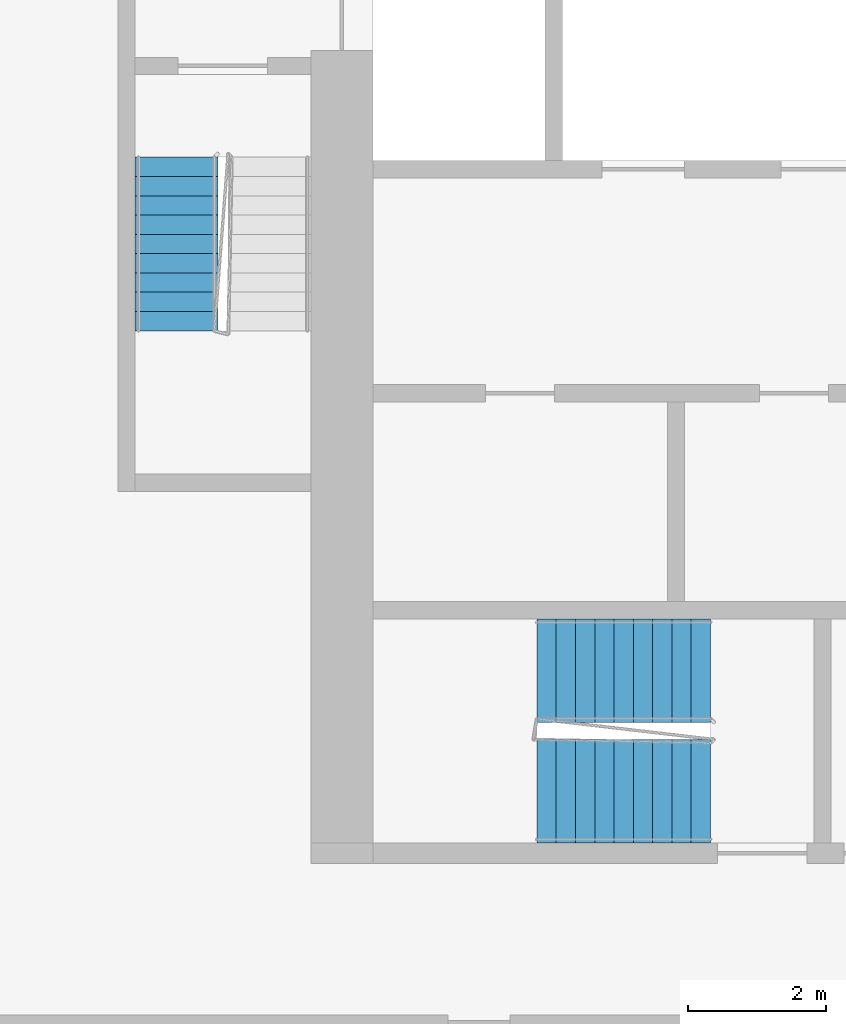
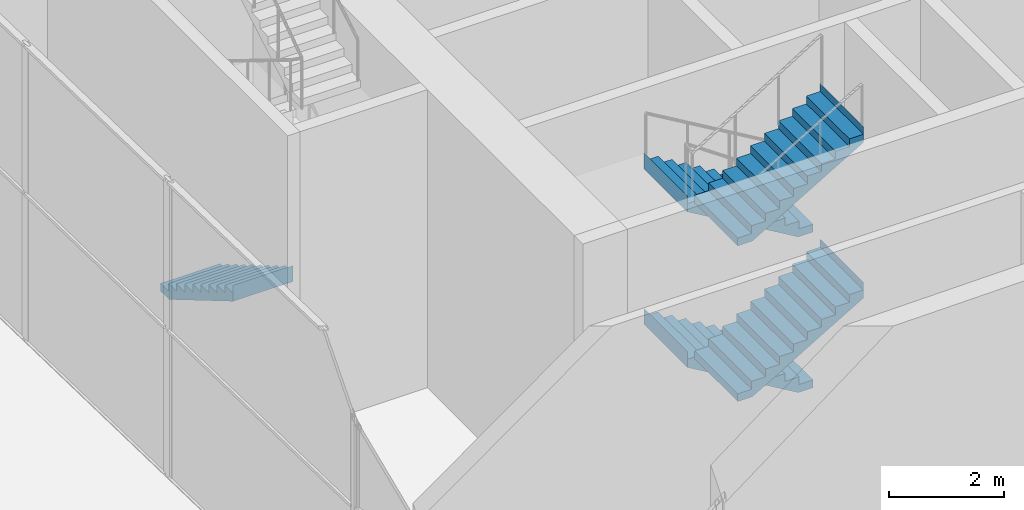
# One storey, part 16 of 24: 5 stair flights, 2 elements without a shape of their own.
"""IFC4 building model written with IfcOpenShell, lengths in metres."""

from ifc_helpers import new_model, si_unit, direction, frame, origin, place, context, subcontext, project, spatial, faceted_brep, material, type_object, element, aggregate, save


model = new_model("IFC4")

# Units and contexts
model_context = context("Model", 3, precision=1e-05, world=origin(), true_north=direction((0.0, 1.0)))
body_context = subcontext(model_context, "Body", "Model", "MODEL_VIEW")
ifc_project = project(units=[si_unit("LENGTHUNIT", "METRE"), si_unit("AREAUNIT", "SQUARE_METRE"), si_unit("VOLUMEUNIT", "CUBIC_METRE"), si_unit("PLANEANGLEUNIT", "RADIAN"), si_unit("MASSUNIT", "GRAM", prefix="KILO")], contexts=[model_context])

# Site, building, storey
site_placement = place(None, origin())
site = spatial("IfcSite", under=ifc_project, at=site_placement, CompositionType="ELEMENT")
building_placement = place(site_placement, origin())
building = spatial("IfcBuilding", under=site, at=building_placement, Name="Kajstack Hotel Tower", CompositionType="ELEMENT")
storey_placement = place(building_placement, frame((0.0, 0.0, 211.10009765625)))
storey = spatial("IfcBuildingStorey", under=building, at=storey_placement, Name="L51", CompositionType="ELEMENT", Elevation=211.10009765625)

# Stair, stair flight
ifc_material = material(Name="Concrete C40/50", Category="concrete")
stair_type_1 = type_object("IfcStairType", Name="Exit stair 1200", PredefinedType="HALF_TURN_STAIR", material=ifc_material)
stair_1_placement = place(storey_placement, origin())
stair_1 = element("IfcStair", 1, at=stair_1_placement, inside=storey, type_object=stair_type_1, Name="L51 stair W1", PredefinedType="HALF_TURN_STAIR")
stair_flight_type_1 = type_object("IfcStairFlightType", Name="Exit stair flight 1200", PredefinedType="STRAIGHT", material=ifc_material)
stair_flight_1_placement = place(storey_placement, frame((-33.449951171875, -5.25, 0.0), z_axis=(0.0, 0.0, 1.0), x_axis=(0.0, -1.0, 0.0)))
stair_flight_1 = element("IfcStairFlight", 2, at=stair_flight_1_placement, type_object=stair_flight_type_1, Name="W1 flight 1", NumberOfRisers=10, NumberOfTreads=9, PredefinedType="STRAIGHT", RiserHeight=0.165, TreadLength=0.28, context=body_context, shape_type="Brep", body=[
    faceted_brep([(0.295654296875, -0.60009765625, 0.0), (2.5205078125, -0.60009765625, 1.31103515625), (2.5205078125, -0.60009765625, 1.64990234375), (2.52001953125, -0.60009765625, 1.64990234375), (2.52001953125, -0.60009765625, 1.485107421875), (2.239990234375, -0.60009765625, 1.485107421875), (2.239990234375, -0.60009765625, 1.320068359375), (1.9599609375, -0.60009765625, 1.320068359375), (1.9599609375, -0.60009765625, 1.155029296875), (1.679931640625, -0.60009765625, 1.155029296875), (1.679931640625, -0.60009765625, 0.989990234375), (1.39990234375, -0.60009765625, 0.989990234375), (1.39990234375, -0.60009765625, 0.824951171875), (1.1201171875, -0.60009765625, 0.824951171875), (1.1201171875, -0.60009765625, 0.659912109375), (0.840087890625, -0.60009765625, 0.659912109375), (0.840087890625, -0.60009765625, 0.4951171875), (0.56005859375, -0.60009765625, 0.4951171875), (0.56005859375, -0.60009765625, 0.330078125), (0.280029296875, -0.60009765625, 0.330078125), (0.280029296875, -0.60009765625, 0.1650390625), (-0.00048828125, -0.60009765625, 0.1650390625), (-0.00048828125, -0.60009765625, 0.0), (-0.00048828125, 0.60009765625, 0.0), (-0.00048828125, 0.60009765625, 0.1650390625), (0.280029296875, 0.60009765625, 0.1650390625), (0.280029296875, 0.60009765625, 0.330078125), (0.56005859375, 0.60009765625, 0.330078125), (0.56005859375, 0.60009765625, 0.4951171875), (0.840087890625, 0.60009765625, 0.4951171875), (0.840087890625, 0.60009765625, 0.659912109375), (1.1201171875, 0.60009765625, 0.659912109375), (1.1201171875, 0.60009765625, 0.824951171875), (1.39990234375, 0.60009765625, 0.824951171875), (1.39990234375, 0.60009765625, 0.989990234375), (1.679931640625, 0.60009765625, 0.989990234375), (1.679931640625, 0.60009765625, 1.155029296875), (1.9599609375, 0.60009765625, 1.155029296875), (1.9599609375, 0.60009765625, 1.320068359375), (2.239990234375, 0.60009765625, 1.320068359375), (2.239990234375, 0.60009765625, 1.485107421875), (2.52001953125, 0.60009765625, 1.485107421875), (2.52001953125, 0.60009765625, 1.64990234375), (2.5205078125, 0.60009765625, 1.64990234375), (2.5205078125, 0.60009765625, 1.31103515625), (0.295654296875, 0.60009765625, 0.0), (-0.00048828125, -0.300048828125, 0.1650390625), (-0.00048828125, 0.0, 0.1650390625), (-0.00048828125, 0.300048828125, 0.1650390625), (-0.00048828125, 0.300048828125, 0.0), (-0.00048828125, 0.0, 0.0), (-0.00048828125, -0.300048828125, 0.0), (0.280029296875, -0.300048828125, 0.1650390625), (0.280029296875, 0.0, 0.1650390625), (0.280029296875, 0.300048828125, 0.1650390625), (0.280029296875, -0.300048828125, 0.330078125), (0.280029296875, 0.0, 0.330078125), (0.280029296875, 0.300048828125, 0.330078125), (0.56005859375, -0.300048828125, 0.330078125), (0.56005859375, 0.0, 0.330078125), (0.56005859375, 0.300048828125, 0.330078125), (0.56005859375, -0.300048828125, 0.4951171875), (0.56005859375, 0.0, 0.4951171875), (0.56005859375, 0.300048828125, 0.4951171875), (0.840087890625, -0.300048828125, 0.4951171875), (0.840087890625, 0.0, 0.4951171875), (0.840087890625, 0.300048828125, 0.4951171875), (0.840087890625, -0.300048828125, 0.659912109375), (0.840087890625, 0.0, 0.659912109375), (0.840087890625, 0.300048828125, 0.659912109375), (1.1201171875, -0.300048828125, 0.659912109375), (1.1201171875, 0.0, 0.659912109375), (1.1201171875, 0.300048828125, 0.659912109375), (1.1201171875, -0.300048828125, 0.824951171875), (1.1201171875, 0.0, 0.824951171875), (1.1201171875, 0.300048828125, 0.824951171875), (1.39990234375, -0.300048828125, 0.824951171875), (1.39990234375, 0.0, 0.824951171875), (1.39990234375, 0.300048828125, 0.824951171875), (1.39990234375, -0.300048828125, 0.989990234375), (1.39990234375, 0.0, 0.989990234375), (1.39990234375, 0.300048828125, 0.989990234375), (1.679931640625, -0.300048828125, 0.989990234375), (1.679931640625, 0.0, 0.989990234375), (1.679931640625, 0.300048828125, 0.989990234375), (1.679931640625, -0.300048828125, 1.155029296875), (1.679931640625, 0.0, 1.155029296875), (1.679931640625, 0.300048828125, 1.155029296875), (1.9599609375, -0.300048828125, 1.155029296875), (1.9599609375, 0.0, 1.155029296875), (1.9599609375, 0.300048828125, 1.155029296875), (1.9599609375, -0.300048828125, 1.320068359375), (1.9599609375, 0.0, 1.320068359375), (1.9599609375, 0.300048828125, 1.320068359375), (2.239990234375, -0.300048828125, 1.320068359375), (2.239990234375, 0.0, 1.320068359375), (2.239990234375, 0.300048828125, 1.320068359375), (2.239990234375, -0.300048828125, 1.485107421875), (2.239990234375, 0.0, 1.485107421875), (2.239990234375, 0.300048828125, 1.485107421875), (2.52001953125, -0.300048828125, 1.485107421875), (2.52001953125, 0.0, 1.485107421875), (2.52001953125, 0.300048828125, 1.485107421875), (2.52001953125, -0.300048828125, 1.64990234375), (2.52001953125, 0.0, 1.64990234375), (2.52001953125, 0.300048828125, 1.64990234375), (2.5205078125, -0.300048828125, 1.64990234375), (2.5205078125, 0.0, 1.64990234375), (2.5205078125, 0.300048828125, 1.64990234375), (2.5205078125, -0.300048828125, 1.31103515625), (2.5205078125, 0.0, 1.31103515625), (2.5205078125, 0.300048828125, 1.31103515625), (0.295654296875, -0.300048828125, 0.0), (0.295654296875, 0.0, 0.0), (0.295654296875, 0.300048828125, 0.0)], [[[0, 1, 2, 3, 4, 5, 6, 7, 8, 9, 10, 11, 12, 13, 14, 15, 16, 17, 18, 19, 20, 21, 22]], [[23, 24, 25, 26, 27, 28, 29, 30, 31, 32, 33, 34, 35, 36, 37, 38, 39, 40, 41, 42, 43, 44, 45]], [[21, 46, 47, 48, 24, 23, 49, 50, 51, 22]], [[20, 52, 53, 54, 25, 24, 48, 47, 46, 21]], [[19, 55, 56, 57, 26, 25, 54, 53, 52, 20]], [[18, 58, 59, 60, 27, 26, 57, 56, 55, 19]], [[17, 61, 62, 63, 28, 27, 60, 59, 58, 18]], [[16, 64, 65, 66, 29, 28, 63, 62, 61, 17]], [[15, 67, 68, 69, 30, 29, 66, 65, 64, 16]], [[14, 70, 71, 72, 31, 30, 69, 68, 67, 15]], [[13, 73, 74, 75, 32, 31, 72, 71, 70, 14]], [[12, 76, 77, 78, 33, 32, 75, 74, 73, 13]], [[11, 79, 80, 81, 34, 33, 78, 77, 76, 12]], [[10, 82, 83, 84, 35, 34, 81, 80, 79, 11]], [[9, 85, 86, 87, 36, 35, 84, 83, 82, 10]], [[8, 88, 89, 90, 37, 36, 87, 86, 85, 9]], [[7, 91, 92, 93, 38, 37, 90, 89, 88, 8]], [[6, 94, 95, 96, 39, 38, 93, 92, 91, 7]], [[5, 97, 98, 99, 40, 39, 96, 95, 94, 6]], [[4, 100, 101, 102, 41, 40, 99, 98, 97, 5]], [[3, 103, 104, 105, 42, 41, 102, 101, 100, 4]], [[2, 106, 107, 108, 43, 42, 105, 104, 103, 3]], [[1, 109, 110, 111, 44, 43, 108, 107, 106, 2]], [[0, 112, 113, 114, 45, 44, 111, 110, 109, 1]], [[22, 51, 50, 49, 23, 45, 114, 113, 112, 0]]]),
])
aggregate(stair_1, [stair_flight_1])

# Stair, stair flights
stair_type_2 = type_object("IfcStairType", Name="Exit stair 1500", PredefinedType="HALF_TURN_STAIR", material=ifc_material)
stair_2_placement = place(storey_placement, origin())
stair_2 = element("IfcStair", 3, at=stair_2_placement, inside=storey, type_object=stair_type_2, Name="L51 stair W3", PredefinedType="HALF_TURN_STAIR")
stair_flight_type_2 = type_object("IfcStairFlightType", Name="Exit stair flight 1500", PredefinedType="STRAIGHT", material=ifc_material)
stair_flight_2_placement = place(storey_placement, frame((-25.699951171875, -12.699951171875, 0.0), z_axis=(0.0, 0.0, 1.0), x_axis=(-1.0, 0.0, 0.0)))
stair_flight_2 = element("IfcStairFlight", 4, at=stair_flight_2_placement, type_object=stair_flight_type_2, Name="W3 flight 1", NumberOfRisers=10, NumberOfTreads=9, PredefinedType="STRAIGHT", RiserHeight=0.165, TreadLength=0.28, context=body_context, shape_type="Brep", body=[
    faceted_brep([(0.295654296875, -0.75, 0.0), (2.5205078125, -0.75, 1.31103515625), (2.5205078125, -0.75, 1.64990234375), (2.52001953125, -0.75, 1.64990234375), (2.52001953125, -0.75, 1.485107421875), (2.239990234375, -0.75, 1.485107421875), (2.239990234375, -0.75, 1.320068359375), (1.9599609375, -0.75, 1.320068359375), (1.9599609375, -0.75, 1.155029296875), (1.679931640625, -0.75, 1.155029296875), (1.679931640625, -0.75, 0.989990234375), (1.39990234375, -0.75, 0.989990234375), (1.39990234375, -0.75, 0.824951171875), (1.1201171875, -0.75, 0.824951171875), (1.1201171875, -0.75, 0.659912109375), (0.840087890625, -0.75, 0.659912109375), (0.840087890625, -0.75, 0.4951171875), (0.56005859375, -0.75, 0.4951171875), (0.56005859375, -0.75, 0.330078125), (0.280029296875, -0.75, 0.330078125), (0.280029296875, -0.75, 0.1650390625), (-0.00048828125, -0.75, 0.1650390625), (-0.00048828125, -0.75, 0.0), (-0.00048828125, 0.75, 0.0), (-0.00048828125, 0.75, 0.1650390625), (0.280029296875, 0.75, 0.1650390625), (0.280029296875, 0.75, 0.330078125), (0.56005859375, 0.75, 0.330078125), (0.56005859375, 0.75, 0.4951171875), (0.840087890625, 0.75, 0.4951171875), (0.840087890625, 0.75, 0.659912109375), (1.1201171875, 0.75, 0.659912109375), (1.1201171875, 0.75, 0.824951171875), (1.39990234375, 0.75, 0.824951171875), (1.39990234375, 0.75, 0.989990234375), (1.679931640625, 0.75, 0.989990234375), (1.679931640625, 0.75, 1.155029296875), (1.9599609375, 0.75, 1.155029296875), (1.9599609375, 0.75, 1.320068359375), (2.239990234375, 0.75, 1.320068359375), (2.239990234375, 0.75, 1.485107421875), (2.52001953125, 0.75, 1.485107421875), (2.52001953125, 0.75, 1.64990234375), (2.5205078125, 0.75, 1.64990234375), (2.5205078125, 0.75, 1.31103515625), (0.295654296875, 0.75, 0.0), (-0.00048828125, -0.375, 0.1650390625), (-0.00048828125, 0.0, 0.1650390625), (-0.00048828125, 0.375, 0.1650390625), (-0.00048828125, 0.375, 0.0), (-0.00048828125, 0.0, 0.0), (-0.00048828125, -0.375, 0.0), (0.280029296875, -0.375, 0.1650390625), (0.280029296875, 0.0, 0.1650390625), (0.280029296875, 0.375, 0.1650390625), (0.280029296875, -0.375, 0.330078125), (0.280029296875, 0.0, 0.330078125), (0.280029296875, 0.375, 0.330078125), (0.56005859375, -0.375, 0.330078125), (0.56005859375, 0.0, 0.330078125), (0.56005859375, 0.375, 0.330078125), (0.56005859375, -0.375, 0.4951171875), (0.56005859375, 0.0, 0.4951171875), (0.56005859375, 0.375, 0.4951171875), (0.840087890625, -0.375, 0.4951171875), (0.840087890625, 0.0, 0.4951171875), (0.840087890625, 0.375, 0.4951171875), (0.840087890625, -0.375, 0.659912109375), (0.840087890625, 0.0, 0.659912109375), (0.840087890625, 0.375, 0.659912109375), (1.1201171875, -0.375, 0.659912109375), (1.1201171875, 0.0, 0.659912109375), (1.1201171875, 0.375, 0.659912109375), (1.1201171875, -0.375, 0.824951171875), (1.1201171875, 0.0, 0.824951171875), (1.1201171875, 0.375, 0.824951171875), (1.39990234375, -0.375, 0.824951171875), (1.39990234375, 0.0, 0.824951171875), (1.39990234375, 0.375, 0.824951171875), (1.39990234375, -0.375, 0.989990234375), (1.39990234375, 0.0, 0.989990234375), (1.39990234375, 0.375, 0.989990234375), (1.679931640625, -0.375, 0.989990234375), (1.679931640625, 0.0, 0.989990234375), (1.679931640625, 0.375, 0.989990234375), (1.679931640625, -0.375, 1.155029296875), (1.679931640625, 0.0, 1.155029296875), (1.679931640625, 0.375, 1.155029296875), (1.9599609375, -0.375, 1.155029296875), (1.9599609375, 0.0, 1.155029296875), (1.9599609375, 0.375, 1.155029296875), (1.9599609375, -0.375, 1.320068359375), (1.9599609375, 0.0, 1.320068359375), (1.9599609375, 0.375, 1.320068359375), (2.239990234375, -0.375, 1.320068359375), (2.239990234375, 0.0, 1.320068359375), (2.239990234375, 0.375, 1.320068359375), (2.239990234375, -0.375, 1.485107421875), (2.239990234375, 0.0, 1.485107421875), (2.239990234375, 0.375, 1.485107421875), (2.52001953125, -0.375, 1.485107421875), (2.52001953125, 0.0, 1.485107421875), (2.52001953125, 0.375, 1.485107421875), (2.52001953125, -0.375, 1.64990234375), (2.52001953125, 0.0, 1.64990234375), (2.52001953125, 0.375, 1.64990234375), (2.5205078125, -0.375, 1.64990234375), (2.5205078125, 0.0, 1.64990234375), (2.5205078125, 0.375, 1.64990234375), (2.5205078125, -0.375, 1.31103515625), (2.5205078125, 0.0, 1.31103515625), (2.5205078125, 0.375, 1.31103515625), (0.295654296875, -0.375, 0.0), (0.295654296875, 0.0, 0.0), (0.295654296875, 0.375, 0.0)], [[[0, 1, 2, 3, 4, 5, 6, 7, 8, 9, 10, 11, 12, 13, 14, 15, 16, 17, 18, 19, 20, 21, 22]], [[23, 24, 25, 26, 27, 28, 29, 30, 31, 32, 33, 34, 35, 36, 37, 38, 39, 40, 41, 42, 43, 44, 45]], [[21, 46, 47, 48, 24, 23, 49, 50, 51, 22]], [[20, 52, 53, 54, 25, 24, 48, 47, 46, 21]], [[19, 55, 56, 57, 26, 25, 54, 53, 52, 20]], [[18, 58, 59, 60, 27, 26, 57, 56, 55, 19]], [[17, 61, 62, 63, 28, 27, 60, 59, 58, 18]], [[16, 64, 65, 66, 29, 28, 63, 62, 61, 17]], [[15, 67, 68, 69, 30, 29, 66, 65, 64, 16]], [[14, 70, 71, 72, 31, 30, 69, 68, 67, 15]], [[13, 73, 74, 75, 32, 31, 72, 71, 70, 14]], [[12, 76, 77, 78, 33, 32, 75, 74, 73, 13]], [[11, 79, 80, 81, 34, 33, 78, 77, 76, 12]], [[10, 82, 83, 84, 35, 34, 81, 80, 79, 11]], [[9, 85, 86, 87, 36, 35, 84, 83, 82, 10]], [[8, 88, 89, 90, 37, 36, 87, 86, 85, 9]], [[7, 91, 92, 93, 38, 37, 90, 89, 88, 8]], [[6, 94, 95, 96, 39, 38, 93, 92, 91, 7]], [[5, 97, 98, 99, 40, 39, 96, 95, 94, 6]], [[4, 100, 101, 102, 41, 40, 99, 98, 97, 5]], [[3, 103, 104, 105, 42, 41, 102, 101, 100, 4]], [[2, 106, 107, 108, 43, 42, 105, 104, 103, 3]], [[1, 109, 110, 111, 44, 43, 108, 107, 106, 2]], [[0, 112, 113, 114, 45, 44, 111, 110, 109, 1]], [[22, 51, 50, 49, 23, 45, 114, 113, 112, 0]]]),
])
stair_flight_3_placement = place(storey_placement, frame((-28.219970703125, -14.449951171875, 1.64990234375), z_axis=(0.0, 0.0, 1.0), x_axis=(1.0, 0.0, 0.0)))
stair_flight_3 = element("IfcStairFlight", 5, at=stair_flight_3_placement, type_object=stair_flight_type_2, Name="W3 flight 2", NumberOfRisers=10, NumberOfTreads=9, PredefinedType="STRAIGHT", RiserHeight=0.165, TreadLength=0.28, context=body_context, shape_type="Brep", body=[
    faceted_brep([(0.295654296875, -0.75, 0.0), (2.5205078125, -0.75, 1.31103515625), (2.5205078125, -0.75, 1.64990234375), (2.52001953125, -0.75, 1.64990234375), (2.52001953125, -0.75, 1.485107421875), (2.239990234375, -0.75, 1.485107421875), (2.239990234375, -0.75, 1.320068359375), (1.9599609375, -0.75, 1.320068359375), (1.9599609375, -0.75, 1.155029296875), (1.679931640625, -0.75, 1.155029296875), (1.679931640625, -0.75, 0.989990234375), (1.39990234375, -0.75, 0.989990234375), (1.39990234375, -0.75, 0.824951171875), (1.1201171875, -0.75, 0.824951171875), (1.1201171875, -0.75, 0.659912109375), (0.840087890625, -0.75, 0.659912109375), (0.840087890625, -0.75, 0.4951171875), (0.56005859375, -0.75, 0.4951171875), (0.56005859375, -0.75, 0.330078125), (0.280029296875, -0.75, 0.330078125), (0.280029296875, -0.75, 0.1650390625), (-0.00048828125, -0.75, 0.1650390625), (-0.00048828125, -0.75, 0.0), (-0.00048828125, 0.75, 0.0), (-0.00048828125, 0.75, 0.1650390625), (0.280029296875, 0.75, 0.1650390625), (0.280029296875, 0.75, 0.330078125), (0.56005859375, 0.75, 0.330078125), (0.56005859375, 0.75, 0.4951171875), (0.840087890625, 0.75, 0.4951171875), (0.840087890625, 0.75, 0.659912109375), (1.1201171875, 0.75, 0.659912109375), (1.1201171875, 0.75, 0.824951171875), (1.39990234375, 0.75, 0.824951171875), (1.39990234375, 0.75, 0.989990234375), (1.679931640625, 0.75, 0.989990234375), (1.679931640625, 0.75, 1.155029296875), (1.9599609375, 0.75, 1.155029296875), (1.9599609375, 0.75, 1.320068359375), (2.239990234375, 0.75, 1.320068359375), (2.239990234375, 0.75, 1.485107421875), (2.52001953125, 0.75, 1.485107421875), (2.52001953125, 0.75, 1.64990234375), (2.5205078125, 0.75, 1.64990234375), (2.5205078125, 0.75, 1.31103515625), (0.295654296875, 0.75, 0.0), (-0.00048828125, -0.375, 0.1650390625), (-0.00048828125, 0.0, 0.1650390625), (-0.00048828125, 0.375, 0.1650390625), (-0.00048828125, 0.375, 0.0), (-0.00048828125, 0.0, 0.0), (-0.00048828125, -0.375, 0.0), (0.280029296875, -0.375, 0.1650390625), (0.280029296875, 0.0, 0.1650390625), (0.280029296875, 0.375, 0.1650390625), (0.280029296875, -0.375, 0.330078125), (0.280029296875, 0.0, 0.330078125), (0.280029296875, 0.375, 0.330078125), (0.56005859375, -0.375, 0.330078125), (0.56005859375, 0.0, 0.330078125), (0.56005859375, 0.375, 0.330078125), (0.56005859375, -0.375, 0.4951171875), (0.56005859375, 0.0, 0.4951171875), (0.56005859375, 0.375, 0.4951171875), (0.840087890625, -0.375, 0.4951171875), (0.840087890625, 0.0, 0.4951171875), (0.840087890625, 0.375, 0.4951171875), (0.840087890625, -0.375, 0.659912109375), (0.840087890625, 0.0, 0.659912109375), (0.840087890625, 0.375, 0.659912109375), (1.1201171875, -0.375, 0.659912109375), (1.1201171875, 0.0, 0.659912109375), (1.1201171875, 0.375, 0.659912109375), (1.1201171875, -0.375, 0.824951171875), (1.1201171875, 0.0, 0.824951171875), (1.1201171875, 0.375, 0.824951171875), (1.39990234375, -0.375, 0.824951171875), (1.39990234375, 0.0, 0.824951171875), (1.39990234375, 0.375, 0.824951171875), (1.39990234375, -0.375, 0.989990234375), (1.39990234375, 0.0, 0.989990234375), (1.39990234375, 0.375, 0.989990234375), (1.679931640625, -0.375, 0.989990234375), (1.679931640625, 0.0, 0.989990234375), (1.679931640625, 0.375, 0.989990234375), (1.679931640625, -0.375, 1.155029296875), (1.679931640625, 0.0, 1.155029296875), (1.679931640625, 0.375, 1.155029296875), (1.9599609375, -0.375, 1.155029296875), (1.9599609375, 0.0, 1.155029296875), (1.9599609375, 0.375, 1.155029296875), (1.9599609375, -0.375, 1.320068359375), (1.9599609375, 0.0, 1.320068359375), (1.9599609375, 0.375, 1.320068359375), (2.239990234375, -0.375, 1.320068359375), (2.239990234375, 0.0, 1.320068359375), (2.239990234375, 0.375, 1.320068359375), (2.239990234375, -0.375, 1.485107421875), (2.239990234375, 0.0, 1.485107421875), (2.239990234375, 0.375, 1.485107421875), (2.52001953125, -0.375, 1.485107421875), (2.52001953125, 0.0, 1.485107421875), (2.52001953125, 0.375, 1.485107421875), (2.52001953125, -0.375, 1.64990234375), (2.52001953125, 0.0, 1.64990234375), (2.52001953125, 0.375, 1.64990234375), (2.5205078125, -0.375, 1.64990234375), (2.5205078125, 0.0, 1.64990234375), (2.5205078125, 0.375, 1.64990234375), (2.5205078125, -0.375, 1.31103515625), (2.5205078125, 0.0, 1.31103515625), (2.5205078125, 0.375, 1.31103515625), (0.295654296875, -0.375, 0.0), (0.295654296875, 0.0, 0.0), (0.295654296875, 0.375, 0.0)], [[[0, 1, 2, 3, 4, 5, 6, 7, 8, 9, 10, 11, 12, 13, 14, 15, 16, 17, 18, 19, 20, 21, 22]], [[23, 24, 25, 26, 27, 28, 29, 30, 31, 32, 33, 34, 35, 36, 37, 38, 39, 40, 41, 42, 43, 44, 45]], [[21, 46, 47, 48, 24, 23, 49, 50, 51, 22]], [[20, 52, 53, 54, 25, 24, 48, 47, 46, 21]], [[19, 55, 56, 57, 26, 25, 54, 53, 52, 20]], [[18, 58, 59, 60, 27, 26, 57, 56, 55, 19]], [[17, 61, 62, 63, 28, 27, 60, 59, 58, 18]], [[16, 64, 65, 66, 29, 28, 63, 62, 61, 17]], [[15, 67, 68, 69, 30, 29, 66, 65, 64, 16]], [[14, 70, 71, 72, 31, 30, 69, 68, 67, 15]], [[13, 73, 74, 75, 32, 31, 72, 71, 70, 14]], [[12, 76, 77, 78, 33, 32, 75, 74, 73, 13]], [[11, 79, 80, 81, 34, 33, 78, 77, 76, 12]], [[10, 82, 83, 84, 35, 34, 81, 80, 79, 11]], [[9, 85, 86, 87, 36, 35, 84, 83, 82, 10]], [[8, 88, 89, 90, 37, 36, 87, 86, 85, 9]], [[7, 91, 92, 93, 38, 37, 90, 89, 88, 8]], [[6, 94, 95, 96, 39, 38, 93, 92, 91, 7]], [[5, 97, 98, 99, 40, 39, 96, 95, 94, 6]], [[4, 100, 101, 102, 41, 40, 99, 98, 97, 5]], [[3, 103, 104, 105, 42, 41, 102, 101, 100, 4]], [[2, 106, 107, 108, 43, 42, 105, 104, 103, 3]], [[1, 109, 110, 111, 44, 43, 108, 107, 106, 2]], [[0, 112, 113, 114, 45, 44, 111, 110, 109, 1]], [[22, 51, 50, 49, 23, 45, 114, 113, 112, 0]]]),
])
stair_flight_4_placement = place(storey_placement, frame((-25.699951171875, -12.699951171875, 3.2998046875), z_axis=(0.0, 0.0, 1.0), x_axis=(-1.0, 0.0, 0.0)))
stair_flight_4 = element("IfcStairFlight", 6, at=stair_flight_4_placement, type_object=stair_flight_type_2, Name="W3 flight 3", NumberOfRisers=10, NumberOfTreads=9, PredefinedType="STRAIGHT", RiserHeight=0.165, TreadLength=0.28, context=body_context, shape_type="Brep", body=[
    faceted_brep([(0.295654296875, -0.75, 0.0), (2.5205078125, -0.75, 1.31103515625), (2.5205078125, -0.75, 1.64990234375), (2.52001953125, -0.75, 1.64990234375), (2.52001953125, -0.75, 1.485107421875), (2.239990234375, -0.75, 1.485107421875), (2.239990234375, -0.75, 1.320068359375), (1.9599609375, -0.75, 1.320068359375), (1.9599609375, -0.75, 1.155029296875), (1.679931640625, -0.75, 1.155029296875), (1.679931640625, -0.75, 0.989990234375), (1.39990234375, -0.75, 0.989990234375), (1.39990234375, -0.75, 0.824951171875), (1.1201171875, -0.75, 0.824951171875), (1.1201171875, -0.75, 0.659912109375), (0.840087890625, -0.75, 0.659912109375), (0.840087890625, -0.75, 0.4951171875), (0.56005859375, -0.75, 0.4951171875), (0.56005859375, -0.75, 0.330078125), (0.280029296875, -0.75, 0.330078125), (0.280029296875, -0.75, 0.1650390625), (-0.00048828125, -0.75, 0.1650390625), (-0.00048828125, -0.75, 0.0), (-0.00048828125, 0.75, 0.0), (-0.00048828125, 0.75, 0.1650390625), (0.280029296875, 0.75, 0.1650390625), (0.280029296875, 0.75, 0.330078125), (0.56005859375, 0.75, 0.330078125), (0.56005859375, 0.75, 0.4951171875), (0.840087890625, 0.75, 0.4951171875), (0.840087890625, 0.75, 0.659912109375), (1.1201171875, 0.75, 0.659912109375), (1.1201171875, 0.75, 0.824951171875), (1.39990234375, 0.75, 0.824951171875), (1.39990234375, 0.75, 0.989990234375), (1.679931640625, 0.75, 0.989990234375), (1.679931640625, 0.75, 1.155029296875), (1.9599609375, 0.75, 1.155029296875), (1.9599609375, 0.75, 1.320068359375), (2.239990234375, 0.75, 1.320068359375), (2.239990234375, 0.75, 1.485107421875), (2.52001953125, 0.75, 1.485107421875), (2.52001953125, 0.75, 1.64990234375), (2.5205078125, 0.75, 1.64990234375), (2.5205078125, 0.75, 1.31103515625), (0.295654296875, 0.75, 0.0), (-0.00048828125, -0.375, 0.1650390625), (-0.00048828125, 0.0, 0.1650390625), (-0.00048828125, 0.375, 0.1650390625), (-0.00048828125, 0.375, 0.0), (-0.00048828125, 0.0, 0.0), (-0.00048828125, -0.375, 0.0), (0.280029296875, -0.375, 0.1650390625), (0.280029296875, 0.0, 0.1650390625), (0.280029296875, 0.375, 0.1650390625), (0.280029296875, -0.375, 0.330078125), (0.280029296875, 0.0, 0.330078125), (0.280029296875, 0.375, 0.330078125), (0.56005859375, -0.375, 0.330078125), (0.56005859375, 0.0, 0.330078125), (0.56005859375, 0.375, 0.330078125), (0.56005859375, -0.375, 0.4951171875), (0.56005859375, 0.0, 0.4951171875), (0.56005859375, 0.375, 0.4951171875), (0.840087890625, -0.375, 0.4951171875), (0.840087890625, 0.0, 0.4951171875), (0.840087890625, 0.375, 0.4951171875), (0.840087890625, -0.375, 0.659912109375), (0.840087890625, 0.0, 0.659912109375), (0.840087890625, 0.375, 0.659912109375), (1.1201171875, -0.375, 0.659912109375), (1.1201171875, 0.0, 0.659912109375), (1.1201171875, 0.375, 0.659912109375), (1.1201171875, -0.375, 0.824951171875), (1.1201171875, 0.0, 0.824951171875), (1.1201171875, 0.375, 0.824951171875), (1.39990234375, -0.375, 0.824951171875), (1.39990234375, 0.0, 0.824951171875), (1.39990234375, 0.375, 0.824951171875), (1.39990234375, -0.375, 0.989990234375), (1.39990234375, 0.0, 0.989990234375), (1.39990234375, 0.375, 0.989990234375), (1.679931640625, -0.375, 0.989990234375), (1.679931640625, 0.0, 0.989990234375), (1.679931640625, 0.375, 0.989990234375), (1.679931640625, -0.375, 1.155029296875), (1.679931640625, 0.0, 1.155029296875), (1.679931640625, 0.375, 1.155029296875), (1.9599609375, -0.375, 1.155029296875), (1.9599609375, 0.0, 1.155029296875), (1.9599609375, 0.375, 1.155029296875), (1.9599609375, -0.375, 1.320068359375), (1.9599609375, 0.0, 1.320068359375), (1.9599609375, 0.375, 1.320068359375), (2.239990234375, -0.375, 1.320068359375), (2.239990234375, 0.0, 1.320068359375), (2.239990234375, 0.375, 1.320068359375), (2.239990234375, -0.375, 1.485107421875), (2.239990234375, 0.0, 1.485107421875), (2.239990234375, 0.375, 1.485107421875), (2.52001953125, -0.375, 1.485107421875), (2.52001953125, 0.0, 1.485107421875), (2.52001953125, 0.375, 1.485107421875), (2.52001953125, -0.375, 1.64990234375), (2.52001953125, 0.0, 1.64990234375), (2.52001953125, 0.375, 1.64990234375), (2.5205078125, -0.375, 1.64990234375), (2.5205078125, 0.0, 1.64990234375), (2.5205078125, 0.375, 1.64990234375), (2.5205078125, -0.375, 1.31103515625), (2.5205078125, 0.0, 1.31103515625), (2.5205078125, 0.375, 1.31103515625), (0.295654296875, -0.375, 0.0), (0.295654296875, 0.0, 0.0), (0.295654296875, 0.375, 0.0)], [[[0, 1, 2, 3, 4, 5, 6, 7, 8, 9, 10, 11, 12, 13, 14, 15, 16, 17, 18, 19, 20, 21, 22]], [[23, 24, 25, 26, 27, 28, 29, 30, 31, 32, 33, 34, 35, 36, 37, 38, 39, 40, 41, 42, 43, 44, 45]], [[21, 46, 47, 48, 24, 23, 49, 50, 51, 22]], [[20, 52, 53, 54, 25, 24, 48, 47, 46, 21]], [[19, 55, 56, 57, 26, 25, 54, 53, 52, 20]], [[18, 58, 59, 60, 27, 26, 57, 56, 55, 19]], [[17, 61, 62, 63, 28, 27, 60, 59, 58, 18]], [[16, 64, 65, 66, 29, 28, 63, 62, 61, 17]], [[15, 67, 68, 69, 30, 29, 66, 65, 64, 16]], [[14, 70, 71, 72, 31, 30, 69, 68, 67, 15]], [[13, 73, 74, 75, 32, 31, 72, 71, 70, 14]], [[12, 76, 77, 78, 33, 32, 75, 74, 73, 13]], [[11, 79, 80, 81, 34, 33, 78, 77, 76, 12]], [[10, 82, 83, 84, 35, 34, 81, 80, 79, 11]], [[9, 85, 86, 87, 36, 35, 84, 83, 82, 10]], [[8, 88, 89, 90, 37, 36, 87, 86, 85, 9]], [[7, 91, 92, 93, 38, 37, 90, 89, 88, 8]], [[6, 94, 95, 96, 39, 38, 93, 92, 91, 7]], [[5, 97, 98, 99, 40, 39, 96, 95, 94, 6]], [[4, 100, 101, 102, 41, 40, 99, 98, 97, 5]], [[3, 103, 104, 105, 42, 41, 102, 101, 100, 4]], [[2, 106, 107, 108, 43, 42, 105, 104, 103, 3]], [[1, 109, 110, 111, 44, 43, 108, 107, 106, 2]], [[0, 112, 113, 114, 45, 44, 111, 110, 109, 1]], [[22, 51, 50, 49, 23, 45, 114, 113, 112, 0]]]),
])
stair_flight_5_placement = place(storey_placement, frame((-28.219970703125, -14.449951171875, 4.949951171875), z_axis=(0.0, 0.0, 1.0), x_axis=(1.0, 0.0, 0.0)))
stair_flight_5 = element("IfcStairFlight", 7, at=stair_flight_5_placement, type_object=stair_flight_type_2, Name="W3 flight 4", NumberOfRisers=10, NumberOfTreads=9, PredefinedType="STRAIGHT", RiserHeight=0.165, TreadLength=0.28, context=body_context, shape_type="Brep", body=[
    faceted_brep([(0.295654296875, -0.75, 0.0), (2.5205078125, -0.75, 1.31103515625), (2.5205078125, -0.75, 1.64990234375), (2.52001953125, -0.75, 1.64990234375), (2.52001953125, -0.75, 1.485107421875), (2.239990234375, -0.75, 1.485107421875), (2.239990234375, -0.75, 1.320068359375), (1.9599609375, -0.75, 1.320068359375), (1.9599609375, -0.75, 1.155029296875), (1.679931640625, -0.75, 1.155029296875), (1.679931640625, -0.75, 0.989990234375), (1.39990234375, -0.75, 0.989990234375), (1.39990234375, -0.75, 0.824951171875), (1.1201171875, -0.75, 0.824951171875), (1.1201171875, -0.75, 0.659912109375), (0.840087890625, -0.75, 0.659912109375), (0.840087890625, -0.75, 0.4951171875), (0.56005859375, -0.75, 0.4951171875), (0.56005859375, -0.75, 0.330078125), (0.280029296875, -0.75, 0.330078125), (0.280029296875, -0.75, 0.1650390625), (-0.00048828125, -0.75, 0.1650390625), (-0.00048828125, -0.75, 0.0), (-0.00048828125, 0.75, 0.0), (-0.00048828125, 0.75, 0.1650390625), (0.280029296875, 0.75, 0.1650390625), (0.280029296875, 0.75, 0.330078125), (0.56005859375, 0.75, 0.330078125), (0.56005859375, 0.75, 0.4951171875), (0.840087890625, 0.75, 0.4951171875), (0.840087890625, 0.75, 0.659912109375), (1.1201171875, 0.75, 0.659912109375), (1.1201171875, 0.75, 0.824951171875), (1.39990234375, 0.75, 0.824951171875), (1.39990234375, 0.75, 0.989990234375), (1.679931640625, 0.75, 0.989990234375), (1.679931640625, 0.75, 1.155029296875), (1.9599609375, 0.75, 1.155029296875), (1.9599609375, 0.75, 1.320068359375), (2.239990234375, 0.75, 1.320068359375), (2.239990234375, 0.75, 1.485107421875), (2.52001953125, 0.75, 1.485107421875), (2.52001953125, 0.75, 1.64990234375), (2.5205078125, 0.75, 1.64990234375), (2.5205078125, 0.75, 1.31103515625), (0.295654296875, 0.75, 0.0), (-0.00048828125, -0.375, 0.1650390625), (-0.00048828125, 0.0, 0.1650390625), (-0.00048828125, 0.375, 0.1650390625), (-0.00048828125, 0.375, 0.0), (-0.00048828125, 0.0, 0.0), (-0.00048828125, -0.375, 0.0), (0.280029296875, -0.375, 0.1650390625), (0.280029296875, 0.0, 0.1650390625), (0.280029296875, 0.375, 0.1650390625), (0.280029296875, -0.375, 0.330078125), (0.280029296875, 0.0, 0.330078125), (0.280029296875, 0.375, 0.330078125), (0.56005859375, -0.375, 0.330078125), (0.56005859375, 0.0, 0.330078125), (0.56005859375, 0.375, 0.330078125), (0.56005859375, -0.375, 0.4951171875), (0.56005859375, 0.0, 0.4951171875), (0.56005859375, 0.375, 0.4951171875), (0.840087890625, -0.375, 0.4951171875), (0.840087890625, 0.0, 0.4951171875), (0.840087890625, 0.375, 0.4951171875), (0.840087890625, -0.375, 0.659912109375), (0.840087890625, 0.0, 0.659912109375), (0.840087890625, 0.375, 0.659912109375), (1.1201171875, -0.375, 0.659912109375), (1.1201171875, 0.0, 0.659912109375), (1.1201171875, 0.375, 0.659912109375), (1.1201171875, -0.375, 0.824951171875), (1.1201171875, 0.0, 0.824951171875), (1.1201171875, 0.375, 0.824951171875), (1.39990234375, -0.375, 0.824951171875), (1.39990234375, 0.0, 0.824951171875), (1.39990234375, 0.375, 0.824951171875), (1.39990234375, -0.375, 0.989990234375), (1.39990234375, 0.0, 0.989990234375), (1.39990234375, 0.375, 0.989990234375), (1.679931640625, -0.375, 0.989990234375), (1.679931640625, 0.0, 0.989990234375), (1.679931640625, 0.375, 0.989990234375), (1.679931640625, -0.375, 1.155029296875), (1.679931640625, 0.0, 1.155029296875), (1.679931640625, 0.375, 1.155029296875), (1.9599609375, -0.375, 1.155029296875), (1.9599609375, 0.0, 1.155029296875), (1.9599609375, 0.375, 1.155029296875), (1.9599609375, -0.375, 1.320068359375), (1.9599609375, 0.0, 1.320068359375), (1.9599609375, 0.375, 1.320068359375), (2.239990234375, -0.375, 1.320068359375), (2.239990234375, 0.0, 1.320068359375), (2.239990234375, 0.375, 1.320068359375), (2.239990234375, -0.375, 1.485107421875), (2.239990234375, 0.0, 1.485107421875), (2.239990234375, 0.375, 1.485107421875), (2.52001953125, -0.375, 1.485107421875), (2.52001953125, 0.0, 1.485107421875), (2.52001953125, 0.375, 1.485107421875), (2.52001953125, -0.375, 1.64990234375), (2.52001953125, 0.0, 1.64990234375), (2.52001953125, 0.375, 1.64990234375), (2.5205078125, -0.375, 1.64990234375), (2.5205078125, 0.0, 1.64990234375), (2.5205078125, 0.375, 1.64990234375), (2.5205078125, -0.375, 1.31103515625), (2.5205078125, 0.0, 1.31103515625), (2.5205078125, 0.375, 1.31103515625), (0.295654296875, -0.375, 0.0), (0.295654296875, 0.0, 0.0), (0.295654296875, 0.375, 0.0)], [[[0, 1, 2, 3, 4, 5, 6, 7, 8, 9, 10, 11, 12, 13, 14, 15, 16, 17, 18, 19, 20, 21, 22]], [[23, 24, 25, 26, 27, 28, 29, 30, 31, 32, 33, 34, 35, 36, 37, 38, 39, 40, 41, 42, 43, 44, 45]], [[21, 46, 47, 48, 24, 23, 49, 50, 51, 22]], [[20, 52, 53, 54, 25, 24, 48, 47, 46, 21]], [[19, 55, 56, 57, 26, 25, 54, 53, 52, 20]], [[18, 58, 59, 60, 27, 26, 57, 56, 55, 19]], [[17, 61, 62, 63, 28, 27, 60, 59, 58, 18]], [[16, 64, 65, 66, 29, 28, 63, 62, 61, 17]], [[15, 67, 68, 69, 30, 29, 66, 65, 64, 16]], [[14, 70, 71, 72, 31, 30, 69, 68, 67, 15]], [[13, 73, 74, 75, 32, 31, 72, 71, 70, 14]], [[12, 76, 77, 78, 33, 32, 75, 74, 73, 13]], [[11, 79, 80, 81, 34, 33, 78, 77, 76, 12]], [[10, 82, 83, 84, 35, 34, 81, 80, 79, 11]], [[9, 85, 86, 87, 36, 35, 84, 83, 82, 10]], [[8, 88, 89, 90, 37, 36, 87, 86, 85, 9]], [[7, 91, 92, 93, 38, 37, 90, 89, 88, 8]], [[6, 94, 95, 96, 39, 38, 93, 92, 91, 7]], [[5, 97, 98, 99, 40, 39, 96, 95, 94, 6]], [[4, 100, 101, 102, 41, 40, 99, 98, 97, 5]], [[3, 103, 104, 105, 42, 41, 102, 101, 100, 4]], [[2, 106, 107, 108, 43, 42, 105, 104, 103, 3]], [[1, 109, 110, 111, 44, 43, 108, 107, 106, 2]], [[0, 112, 113, 114, 45, 44, 111, 110, 109, 1]], [[22, 51, 50, 49, 23, 45, 114, 113, 112, 0]]]),
])
aggregate(stair_2, [stair_flight_2, stair_flight_3, stair_flight_4, stair_flight_5])

save(model, "model.ifc")
